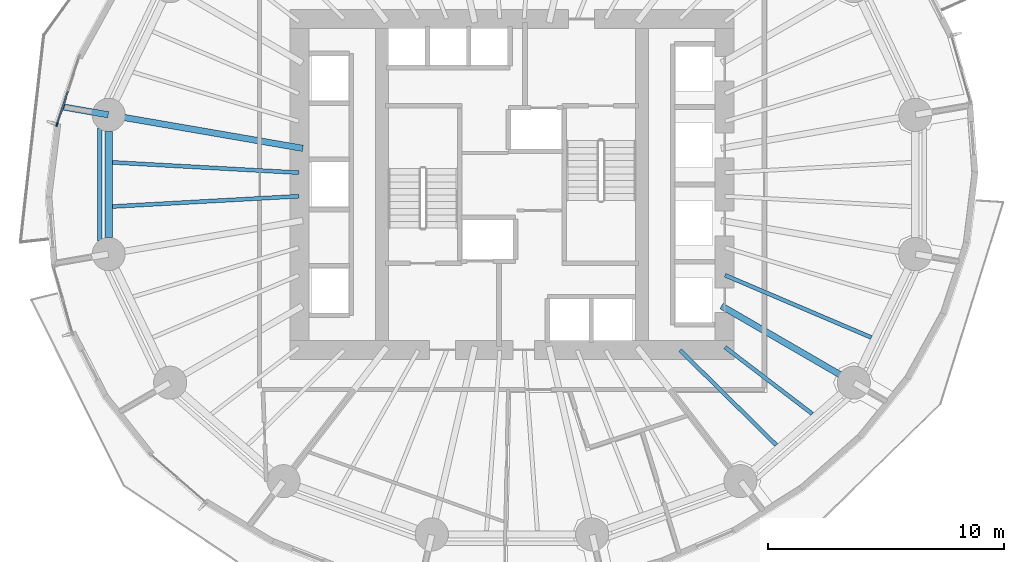
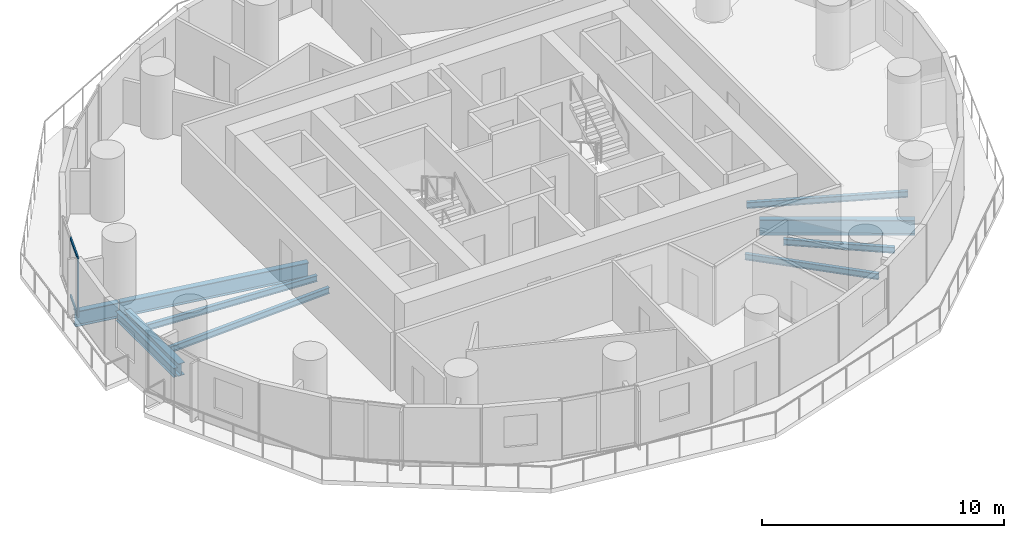
# One storey, part 3 of 13: 10 beams, 3 members, 1 element without a shape of its own.
"""IFC4 building model written with IfcOpenShell, lengths in metres."""

from ifc_helpers import new_model, si_unit, direction, frame, origin, origin_2d, place, context, subcontext, project, spatial, rectangle, i_section, extrude, material, material_profile, profile_set, type_object, element, aggregate, save


model = new_model("IFC4")

# Units and contexts
model_context = context("Model", 3, precision=1e-05, world=origin(), true_north=direction((0.0, 1.0)))
body_context = subcontext(model_context, "Body", "Model", "MODEL_VIEW")
ifc_project = project(units=[si_unit("LENGTHUNIT", "METRE"), si_unit("AREAUNIT", "SQUARE_METRE"), si_unit("VOLUMEUNIT", "CUBIC_METRE"), si_unit("PLANEANGLEUNIT", "RADIAN"), si_unit("MASSUNIT", "GRAM", prefix="KILO")], contexts=[model_context])

# Site, building, storey
site_placement = place(None, origin())
site = spatial("IfcSite", under=ifc_project, at=site_placement, CompositionType="ELEMENT")
building_placement = place(site_placement, origin())
building = spatial("IfcBuilding", under=site, at=building_placement, Name="Veldorim Arch Residences", CompositionType="ELEMENT")
storey_placement = place(building_placement, frame((0.0, 0.0, 47.199951171875)))
storey = spatial("IfcBuildingStorey", under=building, at=storey_placement, Name="L13", CompositionType="ELEMENT", Elevation=47.199951171875)

# Beams
ifc_material_1 = material(Name="Steel S355", Category="steel")
ifc_material_profile_1 = material_profile(ifc_material_1, i_section(OverallWidth=0.30712890625, OverallDepth=0.6201171875, WebThickness=0.01416015625, FlangeThickness=0.023681640625, at=origin_2d()), Name="UB610x305x179")
ifc_profile_set_1 = profile_set([ifc_material_profile_1], Name="Steel S355")
beam_type_1 = type_object("IfcBeamType", Name="Structural Steel Beam UB610x305x179", PredefinedType="BEAM", material=ifc_profile_set_1)
beam_1_placement = place(storey_placement, frame((14.934326171875, 26.245849609375, -0.550048828125), z_axis=(0.0, -1.0, 0.0), x_axis=(1.0, 0.0, 0.0)))
element("IfcBeam", 1, at=beam_1_placement, inside=storey, type_object=beam_type_1, Name="L13 perimeter ring tie beam 08", PredefinedType="BEAM", context=body_context, shape_type="SweptSolid", body=[
    extrude(i_section(OverallWidth=0.30712890625, OverallDepth=0.6201171875, WebThickness=0.01416015625, FlangeThickness=0.023681640625, at=origin_2d()), origin(), (0.0, 0.0, 1.0), 4.49169921875),
])
ifc_material_2 = material(Name="Steel S355", Category="steel")
ifc_material_profile_2 = material_profile(ifc_material_2, i_section(OverallWidth=0.26806640625, OverallDepth=0.769775390625, WebThickness=0.015625, FlangeThickness=0.025390625, at=origin_2d()), Name="UB762x267x197")
ifc_profile_set_2 = profile_set([ifc_material_profile_2], Name="Steel S355")
beam_type_2 = type_object("IfcBeamType", Name="Structural Steel GIRDER UB762x267x197", PredefinedType="USERDEFINED", material=ifc_profile_set_2)
beam_2_placement = place(storey_placement, frame((23.147705078125, 25.528076171875, -0.624755859375), z_axis=(-0.985427548249, 0.170095699979, 0.0), x_axis=(-0.170095699979, -0.985427548249, 0.0)))
element("IfcBeam", 2, at=beam_2_placement, inside=storey, type_object=beam_type_2, Name="L13 radial floor girder 08", ObjectType="GIRDER", PredefinedType="USERDEFINED", context=body_context, shape_type="SweptSolid", body=[
    extrude(i_section(OverallWidth=0.26806640625, OverallDepth=0.769775390625, WebThickness=0.015625, FlangeThickness=0.025390625, at=origin_2d()), origin(), (0.0, 0.0, 1.0), 8.314697265625),
])
beam_3_placement = place(storey_placement, frame((14.91455078125, 26.94921875, -0.624755859375), z_axis=(-0.985423095697, 0.170121493252, 0.0), x_axis=(-0.170121493252, -0.985423095697, 0.0)))
element("IfcBeam", 3, at=beam_3_placement, inside=storey, type_object=beam_type_2, Name="L13 radial edge cantilever girder 08", ObjectType="GIRDER", PredefinedType="USERDEFINED", context=body_context, shape_type="SweptSolid", body=[
    extrude(i_section(OverallWidth=0.26806640625, OverallDepth=0.769775390625, WebThickness=0.015625, FlangeThickness=0.025390625, at=origin_2d()), origin(), (0.0, 0.0, 1.0), 1.943115234375),
])
beam_4_placement = place(storey_placement, frame((40.8701171875, 18.8564453125, -0.624755859375), z_axis=(0.865088348752, -0.501619525989, 0.0), x_axis=(0.501619525989, 0.865088348752, 0.0)))
element("IfcBeam", 4, at=beam_4_placement, inside=storey, type_object=beam_type_2, Name="L13 radial floor girder 15", ObjectType="GIRDER", PredefinedType="USERDEFINED", context=body_context, shape_type="SweptSolid", body=[
    extrude(i_section(OverallWidth=0.26806640625, OverallDepth=0.769775390625, WebThickness=0.015625, FlangeThickness=0.025390625, at=origin_2d()), origin(), (0.0, 0.0, 1.0), 6.4501953125),
])
ifc_material_3 = material(Name="Steel S355", Category="steel")
ifc_material_profile_3 = material_profile(ifc_material_3, i_section(OverallWidth=0.165771484375, OverallDepth=0.306640625, WebThickness=0.006591796875, FlangeThickness=0.01171875, at=origin_2d()), Name="UB305x165x46")
ifc_profile_set_3 = profile_set([ifc_material_profile_3], Name="Steel S355")
beam_type_3 = type_object("IfcBeamType", Name="Structural Steel Joist UB305x165x46", PredefinedType="JOIST", material=ifc_profile_set_3)
for number, where, z_axis, x_axis, name in (
    (5, (22.97998046875, 24.498291015625, -0.393310546875), (-0.998478371109, 0.055144740699, 0.0), (-0.055144740699, -0.998478371109, 0.0), "L13 secondary radial floor joist 08-1"),
    (6, (22.97998046875, 23.501708984375, -0.393310546875), (-0.998478371109, -0.055144740699, 0.0), (0.055144740699, -0.998478371109, 0.0), "L13 secondary radial floor joist 08-2"),
):
    element("IfcBeam", number, at=place(storey_placement, frame(where, z_axis=z_axis, x_axis=x_axis)), inside=storey, type_object=beam_type_3, Name=name, PredefinedType="JOIST", context=body_context, shape_type="SweptSolid", body=[
        extrude(i_section(OverallWidth=0.165771484375, OverallDepth=0.306640625, WebThickness=0.006591796875, FlangeThickness=0.01171875, at=origin_2d()), origin(), (0.0, 0.0, 1.0), 7.898193359375),
    ])
beam_5_placement = place(storey_placement, frame((39.114990234375, 16.986083984375, -0.393310546875), z_axis=(0.712129078446, -0.702048556463, 0.0), x_axis=(0.702048556463, 0.712129078446, 0.0)))
element("IfcBeam", 7, at=beam_5_placement, inside=storey, type_object=beam_type_3, Name="L13 secondary radial floor joist 14-1", PredefinedType="JOIST", context=body_context, shape_type="SweptSolid", body=[
    extrude(i_section(OverallWidth=0.165771484375, OverallDepth=0.306640625, WebThickness=0.006591796875, FlangeThickness=0.01171875, at=origin_2d()), origin(), (0.0, 0.0, 1.0), 5.715576171875),
])
beam_6_placement = place(storey_placement, frame((41.015869140625, 17.1123046875, -0.393310546875), z_axis=(0.794666431166, -0.607046343517, 0.0), x_axis=(0.607046343517, 0.794666431166, 0.0)))
element("IfcBeam", 8, at=beam_6_placement, inside=storey, type_object=beam_type_3, Name="L13 secondary radial floor joist 14-2", PredefinedType="JOIST", context=body_context, shape_type="SweptSolid", body=[
    extrude(i_section(OverallWidth=0.165771484375, OverallDepth=0.306640625, WebThickness=0.006591796875, FlangeThickness=0.01171875, at=origin_2d()), origin(), (0.0, 0.0, 1.0), 4.646728515625),
])
beam_7_placement = place(storey_placement, frame((41.018310546875, 20.15869140625, -0.393310546875), z_axis=(0.920032948668, -0.391841005213, 0.0), x_axis=(0.391841005213, 0.920032948668, 0.0)))
element("IfcBeam", 9, at=beam_7_placement, inside=storey, type_object=beam_type_3, Name="L13 secondary radial floor joist 15-1", PredefinedType="JOIST", context=body_context, shape_type="SweptSolid", body=[
    extrude(i_section(OverallWidth=0.165771484375, OverallDepth=0.306640625, WebThickness=0.006591796875, FlangeThickness=0.01171875, at=origin_2d()), origin(), (0.0, 0.0, 1.0), 6.723388671875),
])
ifc_material_4 = material(Name="Steel S355", Category="steel")
ifc_material_profile_4 = material_profile(ifc_material_4, i_section(OverallWidth=0.19140625, OverallDepth=0.4599609375, WebThickness=0.010009765625, FlangeThickness=0.01611328125, at=origin_2d()), Name="UB457x191x82")
ifc_profile_set_4 = profile_set([ifc_material_profile_4], Name="Steel S355")
beam_type_4 = type_object("IfcBeamType", Name="Structural Steel Spandrel UB457x191x82", PredefinedType="SPANDREL", material=ifc_profile_set_4)
beam_8_placement = place(storey_placement, frame((14.559814453125, 26.39453125, -0.489990234375), z_axis=(0.0, -1.0, 0.0), x_axis=(1.0, 0.0, 0.0)))
element("IfcBeam", 10, at=beam_8_placement, inside=storey, type_object=beam_type_4, Name="L13 perimeter chord spandrel beam 08", PredefinedType="SPANDREL", context=body_context, shape_type="SweptSolid", body=[
    extrude(i_section(OverallWidth=0.19140625, OverallDepth=0.4599609375, WebThickness=0.010009765625, FlangeThickness=0.01611328125, at=origin_2d()), origin(), (0.0, 0.0, 1.0), 4.7890625),
])

# Curtain wall, members
ifc_material_5 = material(Name="Aluminium", Category="aluminium")
curtain_wall_type = type_object("IfcCurtainWallType", Name="Zone 1 Acoustic Low-E Unitised Curtain Wall", PredefinedType="NOTDEFINED", material=ifc_material_5)
curtain_wall_placement = place(storey_placement, origin())
curtain_wall = element("IfcCurtainWall", 11, at=curtain_wall_placement, inside=storey, type_object=curtain_wall_type, Name="L13 unitised curtain wall bay 16", PredefinedType="NOTDEFINED")
ifc_material_6 = material(Name="Aluminium", Category="aluminium")
ifc_material_profile_5 = material_profile(ifc_material_6, rectangle(XDim=0.06494140625, YDim=0.175048828125, at=origin_2d()), Name="ALU_MUL_65x175")
ifc_profile_set_5 = profile_set([ifc_material_profile_5], Name="Aluminium")
member_type_1 = type_object("IfcMemberType", Name="Zone 1 Acoustic Low-E Unitised Curtain Wall Mullion 65x175", PredefinedType="MULLION", material=ifc_profile_set_5)
member_1_placement = place(storey_placement, frame((12.747314453125, 26.538330078125, 0.0), z_axis=(0.0, 0.0, 1.0), x_axis=(-0.950263369365, 0.31144747365, 0.0)))
member_1 = element("IfcMember", 12, at=member_1_placement, type_object=member_type_1, Name="CW-Z1 mullion 1", PredefinedType="MULLION", context=body_context, shape_type="SweptSolid", body=[
    extrude(rectangle(XDim=0.06494140625, YDim=0.175048828125, at=origin_2d()), origin(), (0.0, 0.0, 1.0), 2.9599609375),
])
ifc_material_7 = material(Name="Aluminium", Category="aluminium")
ifc_material_profile_6 = material_profile(ifc_material_7, rectangle(XDim=0.06494140625, YDim=0.14990234375, at=origin_2d()), Name="ALU_TRN_65x150")
ifc_profile_set_6 = profile_set([ifc_material_profile_6], Name="Aluminium")
member_type_2 = type_object("IfcMemberType", Name="Zone 1 Acoustic Low-E Unitised Curtain Wall Transom 65x150", PredefinedType="USERDEFINED", material=ifc_profile_set_6)
member_2_placement = place(storey_placement, frame((12.75732421875, 26.5693359375, 0.032470703125), z_axis=(0.311508136429, 0.950243485081, 0.0), x_axis=(-0.950243485081, 0.311508136429, 0.0)))
member_2 = element("IfcMember", 13, at=member_2_placement, type_object=member_type_2, Name="CW-Z1 transom 1.1", ObjectType="TRANSOM", PredefinedType="USERDEFINED", context=body_context, shape_type="SweptSolid", body=[
    extrude(rectangle(XDim=0.06494140625, YDim=0.14990234375, at=origin_2d()), origin(), (0.0, 0.0, 1.0), 1.4443359375),
])
member_3_placement = place(storey_placement, frame((12.75732421875, 26.5693359375, 2.927490234375), z_axis=(0.311508136429, 0.950243485081, 0.0), x_axis=(-0.950243485081, 0.311508136429, 0.0)))
member_3 = element("IfcMember", 14, at=member_3_placement, type_object=member_type_2, Name="CW-Z1 transom 1.2", ObjectType="TRANSOM", PredefinedType="USERDEFINED", context=body_context, shape_type="SweptSolid", body=[
    extrude(rectangle(XDim=0.06494140625, YDim=0.14990234375, at=origin_2d()), origin(), (0.0, 0.0, 1.0), 1.4443359375),
])
aggregate(curtain_wall, [member_1, member_2, member_3])

save(model, "model.ifc")
